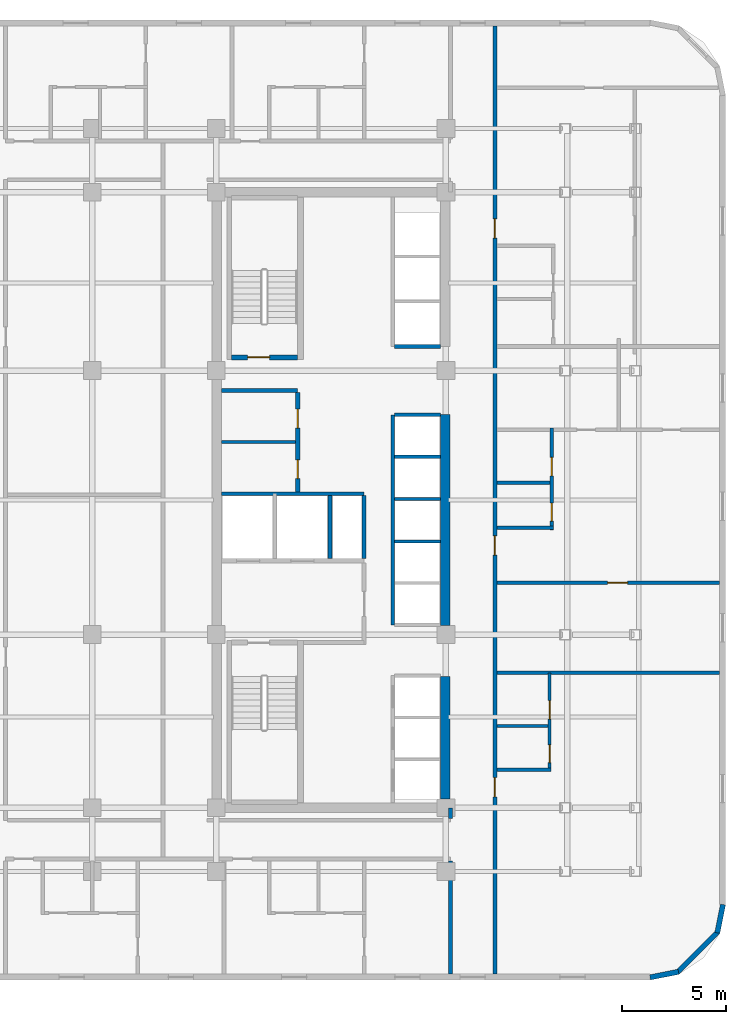
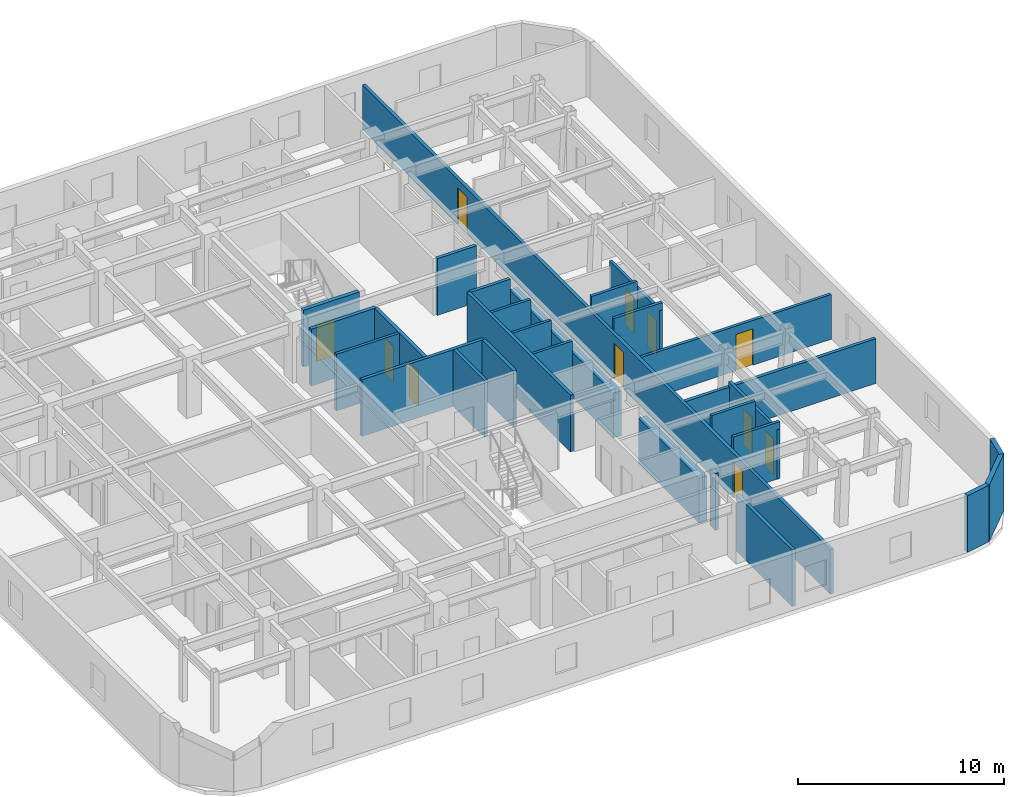
# One storey, part 8 of 12: 29 walls, 11 doors, 11 openings.
"""IFC4 building model written with IfcOpenShell, lengths in metres."""

import ifcopenshell
import ifcopenshell.guid

model = None  # the IFC model being written
_history = None  # IfcOwnerHistory: only IFC2X3 demands one
_inside = {}  # id of a spatial element -> (the spatial element, [elements in it])
_under = {}  # id of a project, library or spatial element -> (it, [spatial elements below it])
_declared = {}  # id of a project -> (the project, [libraries it declares])
_typed = {}  # id of a type object -> (the type object, [elements of that type])
_made_of = {}  # id of a material, layer set ... -> (it, [elements and type objects made of it])


def new_model(schema):
    """Start an empty IFC model of exactly this schema.

    Asked for "IFC4X3", IfcOpenShell would pick the latest addendum, in which some entities
    have other attributes; the version numbers below select the first issue.
    IFC2X3 requires an IfcOwnerHistory on every rooted entity: one is made here for all.
    """
    global model, _history
    if schema == "IFC4X3":
        model = ifcopenshell.file(schema_version=(4, 3, 0, 0))
    else:
        model = ifcopenshell.file(schema=schema)
    _inside.clear()
    _under.clear()
    _declared.clear()
    _typed.clear()
    _made_of.clear()
    _history = None
    if model.schema == "IFC2X3":
        org = make("IfcOrganization", Name="unknown")
        user = make(
            "IfcPersonAndOrganization",
            ThePerson=make("IfcPerson", FamilyName="unknown"),
            TheOrganization=org,
        )
        app = make(
            "IfcApplication",
            ApplicationDeveloper=org,
            Version="unknown",
            ApplicationFullName="unknown",
            ApplicationIdentifier="unknown",
        )
        _history = make(
            "IfcOwnerHistory",
            OwningUser=user,
            OwningApplication=app,
            ChangeAction="ADDED",
            CreationDate=0,
        )
    return model


def make(cls, **values):
    """One entity of the class cls with the attributes given. An attribute that is None is left unset."""
    return model.create_entity(
        cls, **{name: value for name, value in values.items() if value is not None}
    )


def rooted(cls, **values):
    """An entity with a GlobalId (a new one), such as an element, a storey or a relation."""
    return make(cls, GlobalId=ifcopenshell.guid.new(), OwnerHistory=_history, **values)


def si_unit(unit_type, name, prefix=None):
    """IfcSIUnit, for example si_unit("LENGTHUNIT", "METRE", prefix="MILLI")."""
    return make("IfcSIUnit", UnitType=unit_type, Prefix=prefix, Name=name)


def assignment(units):
    """IfcUnitAssignment: the units of a project."""
    return None if units is None else make("IfcUnitAssignment", Units=units)


def point(xyz):
    """IfcCartesianPoint."""
    return None if xyz is None else make("IfcCartesianPoint", Coordinates=xyz)


def direction(xyz):
    """IfcDirection."""
    return None if xyz is None else make("IfcDirection", DirectionRatios=xyz)


def frame(location, z_axis=None, x_axis=None):
    """IfcAxis2Placement3D, a coordinate frame: its origin and axes. An axis left out is left unset."""
    return make(
        "IfcAxis2Placement3D",
        Location=point(location),
        Axis=direction(z_axis),
        RefDirection=direction(x_axis),
    )


def frame_2d(location, x_axis=None):
    """IfcAxis2Placement2D, a coordinate frame in the plane: its origin and x axis."""
    return make(
        "IfcAxis2Placement2D", Location=point(location), RefDirection=direction(x_axis)
    )


def origin():
    """The frame at (0, 0, 0) with its axes left unset."""
    return frame((0.0, 0.0, 0.0))


def place(relative_to, where):
    """IfcLocalPlacement: puts the frame where relative to a parent placement (None: the world)."""
    return make(
        "IfcLocalPlacement", PlacementRelTo=relative_to, RelativePlacement=where
    )


def context(
    kind, dimensions, precision=None, world=None, true_north=None, identifier=None
):
    """IfcGeometricRepresentationContext, for example the 3D "Model" context."""
    return make(
        "IfcGeometricRepresentationContext",
        ContextIdentifier=identifier,
        ContextType=kind,
        CoordinateSpaceDimension=dimensions,
        Precision=precision,
        WorldCoordinateSystem=world,
        TrueNorth=true_north,
    )


def subcontext(parent, identifier, kind, view, scale=None):
    """IfcGeometricRepresentationSubContext, for example "Body" below "Model"."""
    return make(
        "IfcGeometricRepresentationSubContext",
        ContextIdentifier=identifier,
        ContextType=kind,
        ParentContext=parent,
        TargetScale=scale,
        TargetView=view,
    )


def project(units=None, contexts=None):
    """IfcProject with its units and contexts."""
    return rooted(
        "IfcProject",
        Name="project",
        RepresentationContexts=contexts,
        UnitsInContext=assignment(units),
    )


def spatial(cls, under=None, at=None, **own):
    """A site, building, storey or space (cls), placed at a placement, below another one or the project."""
    s = rooted(cls, ObjectPlacement=at, **own)
    if under is not None:
        _under.setdefault(under.id(), (under, []))[1].append(s)
    return s


def profile(cls, at=None, kind="AREA", **sizes):
    """A parametric profile (cls). Its sizes go by their IFC names, for example OverallWidth=200.0."""
    return make(cls, ProfileType=kind, Position=at, **sizes)


def rectangle(**sizes):
    """IfcRectangleProfileDef."""
    return profile("IfcRectangleProfileDef", **sizes)


def extrude(swept, where, along, depth):
    """IfcExtrudedAreaSolid: the profile swept, set in the frame where, extruded along a direction by depth."""
    return make(
        "IfcExtrudedAreaSolid",
        SweptArea=swept,
        Position=where,
        ExtrudedDirection=direction(along),
        Depth=depth,
    )


def shape(context_of_items, identifier, shape_type, items):
    """IfcShapeRepresentation: the items that make up one representation, for example the "Body"."""
    return make(
        "IfcShapeRepresentation",
        ContextOfItems=context_of_items,
        RepresentationIdentifier=identifier,
        RepresentationType=shape_type,
        Items=items,
    )


def material(Name=None, Category=None):
    """IfcMaterial."""
    return make("IfcMaterial", Name=Name, Category=Category)


def layer(
    of_material, thickness, ventilated=None, Name=None, Category=None, Priority=None
):
    """IfcMaterialLayer: one layer of a wall or slab, of a material (None: an air gap)."""
    return make(
        "IfcMaterialLayer",
        Material=of_material,
        LayerThickness=thickness,
        IsVentilated=ventilated,
        Name=Name,
        Category=Category,
        Priority=Priority,
    )


def layer_set(layers, Name=None):
    """IfcMaterialLayerSet."""
    return make("IfcMaterialLayerSet", MaterialLayers=layers, LayerSetName=Name)


def made_of(thing, what):
    """Note that an element or type object is made of a material, layer set ...; save() writes the relation."""
    if what is not None:
        _made_of.setdefault(what.id(), (what, []))[1].append(thing)
    return thing


def type_object(cls, material=None, **own):
    """A type object (cls), such as IfcWallType, which elements share."""
    return made_of(rooted(cls, **own), material)


def element(
    cls,
    number,
    at=None,
    inside=None,
    cuts=None,
    type_object=None,
    material=None,
    context=None,
    identifier="Body",
    shape_type=None,
    held_by="IfcProductDefinitionShape",
    body=None,
    shapes=None,
    **own,
):
    """One element of the class cls, such as IfcWall. Its Tag is "e" and its number.

    at: its placement. inside: the storey or other place that contains it. cuts: it is an
    opening in that element (IfcRelVoidsElement). A single representation is given by context,
    identifier, shape_type and body (its items); several are given by shapes. held_by: the class
    of the entity that holds the representations. save() writes the other relations.
    """
    e = rooted(cls, Tag="e%d" % number, ObjectPlacement=at, **own)
    if body is not None:
        shapes = [shape(context, identifier, shape_type, body)]
    if shapes is not None:
        e.Representation = make(held_by, Representations=shapes)
    if inside is not None:
        _inside.setdefault(inside.id(), (inside, []))[1].append(e)
    if cuts is not None:
        rooted(
            "IfcRelVoidsElement", RelatingBuildingElement=cuts, RelatedOpeningElement=e
        )
    if type_object is not None:
        _typed.setdefault(type_object.id(), (type_object, []))[1].append(e)
    return made_of(e, material)


def fill(opening, filler):
    """IfcRelFillsElement: the door or window that sits in an opening."""
    return rooted(
        "IfcRelFillsElement",
        RelatingOpeningElement=opening,
        RelatedBuildingElement=filler,
    )


def aggregate(whole, parts):
    """IfcRelAggregates: a whole, such as a stair, and the parts it consists of."""
    return rooted("IfcRelAggregates", RelatingObject=whole, RelatedObjects=parts)


def save(model, path):
    """Write the relations noted so far, then the file.

    IfcRelAggregates (storeys below a building ...), IfcRelContainedInSpatialStructure (elements
    in a storey), IfcRelDefinesByType, IfcRelAssociatesMaterial and IfcRelDeclares: one each for
    every whole, place, type object, material and project.
    """
    for whole, parts in _under.values():
        aggregate(whole, parts)
    for where, things in _inside.values():
        rooted(
            "IfcRelContainedInSpatialStructure",
            RelatedElements=things,
            RelatingStructure=where,
        )
    for kind, things in _typed.values():
        rooted("IfcRelDefinesByType", RelatedObjects=things, RelatingType=kind)
    for what, things in _made_of.values():
        rooted("IfcRelAssociatesMaterial", RelatedObjects=things, RelatingMaterial=what)
    for by, libraries in _declared.values():
        rooted("IfcRelDeclares", RelatingContext=by, RelatedDefinitions=libraries)
    model.write(path)


model = new_model("IFC4")

# Units and contexts
model_context = context("Model", 3, precision=1e-05, world=origin(), true_north=direction((0.0, 1.0)))
body_context = subcontext(model_context, "Body", "Model", "MODEL_VIEW")
ifc_project = project(units=[si_unit("LENGTHUNIT", "METRE"), si_unit("AREAUNIT", "SQUARE_METRE"), si_unit("VOLUMEUNIT", "CUBIC_METRE"), si_unit("PLANEANGLEUNIT", "RADIAN"), si_unit("MASSUNIT", "GRAM", prefix="KILO")], contexts=[model_context])

# Site, building, storey
site_placement = place(None, origin())
site = spatial("IfcSite", under=ifc_project, at=site_placement, CompositionType="ELEMENT")
building_placement = place(site_placement, origin())
building = spatial("IfcBuilding", under=site, at=building_placement, Name="Ochreholt Gables", CompositionType="ELEMENT")
storey_placement = place(building_placement, frame((0.0, 0.0, 27.60009765625)))
storey = spatial("IfcBuildingStorey", under=building, at=storey_placement, Name="L06", CompositionType="ELEMENT", Elevation=27.60009765625)

# Walls
ifc_material_1 = material(Name="Concrete 60 MPa", Category="concrete")
ifc_layer_1 = layer(ifc_material_1, 0.449951171875, Name="Concrete 60 MPa")
ifc_layer_set_1 = layer_set([ifc_layer_1], Name="Concrete 60 MPa")
wall_type_1 = type_object("IfcWallType", Name="WALL-CSW-450", PredefinedType="SHEAR", material=ifc_layer_set_1)
wall_1_placement = place(storey_placement, frame((35.175048828125, 9.675048828125, 0.0), z_axis=(0.0, 0.0, 1.0), x_axis=(0.0, 1.0, 0.0)))
element("IfcWall", 1, at=wall_1_placement, inside=storey, type_object=wall_type_1, Name="L06 Core South-East Shear Wall", PredefinedType="SHEAR", context=body_context, shape_type="SweptSolid", body=[
    extrude(rectangle(XDim=5.875, YDim=0.449951171875, at=frame_2d((2.9375, 0.0))), origin(), (0.0, 0.0, 1.0), 2.6669921875),
])
wall_2_placement = place(storey_placement, frame((35.175048828125, 17.97509765625, 0.0), z_axis=(0.0, 0.0, 1.0), x_axis=(0.0, 1.0, 0.0)))
element("IfcWall", 2, at=wall_2_placement, inside=storey, type_object=wall_type_1, Name="L06 Core Central-East Shear Wall", PredefinedType="SHEAR", context=body_context, shape_type="SweptSolid", body=[
    extrude(rectangle(XDim=10.125, YDim=0.449951171875, at=frame_2d((5.0625, 0.0))), origin(), (0.0, 0.0, 1.0), 2.6669921875),
])
ifc_material_2 = material(Name="Precast concrete 40 MPa", Category="concrete")
ifc_layer_2 = layer(ifc_material_2, 0.25, Name="Precast concrete 40 MPa")
ifc_layer_set_2 = layer_set([ifc_layer_2], Name="Precast concrete 40 MPa")
wall_type_2 = type_object("IfcWallType", Name="WALL-EXT-CNR", PredefinedType="SOLIDWALL", material=ifc_layer_set_2)
wall_3_placement = place(storey_placement, frame((44.9833984375, 1.124267578125, 0.0), z_axis=(0.0, 0.0, 1.0), x_axis=(0.980809899341, 0.19496651342, 0.0)))
element("IfcWall", 3, at=wall_3_placement, inside=storey, type_object=wall_type_2, Name="L06 Rounded Corner Wall SE-1", PredefinedType="SOLIDWALL", context=body_context, shape_type="SweptSolid", body=[
    extrude(rectangle(XDim=1.388671875, YDim=0.25, at=frame_2d((0.6943359375, 0.0))), origin(), (0.0, 0.0, 1.0), 3.35986328125),
])
wall_4_placement = place(storey_placement, frame((46.294921875, 1.367919921875, 0.0), z_axis=(0.0, 0.0, 1.0), x_axis=(0.707106781187, 0.707106781187, 0.0)))
element("IfcWall", 4, at=wall_4_placement, inside=storey, type_object=wall_type_2, Name="L06 Rounded Corner Wall SE-2", PredefinedType="SOLIDWALL", context=body_context, shape_type="SweptSolid", body=[
    extrude(rectangle(XDim=2.7392578125, YDim=0.25, at=frame_2d((1.36962890625, 0.0))), origin(), (0.0, 0.0, 1.0), 3.35986328125),
])
wall_5_placement = place(storey_placement, frame((48.205078125, 3.25439453125, 0.0), z_axis=(0.0, 0.0, 1.0), x_axis=(0.19496651342, 0.980809899341, 0.0)))
element("IfcWall", 5, at=wall_5_placement, inside=storey, type_object=wall_type_2, Name="L06 Rounded Corner Wall SE-3", PredefinedType="SOLIDWALL", context=body_context, shape_type="SweptSolid", body=[
    extrude(rectangle(XDim=1.388671875, YDim=0.25, at=frame_2d((0.6943359375, 0.0))), origin(), (0.0, 0.0, 1.0), 3.35986328125),
])
ifc_material_3 = material(Name="Concrete 40 MPa", Category="concrete")
ifc_layer_3 = layer(ifc_material_3, 0.199951171875, Name="Concrete 40 MPa")
ifc_layer_set_3 = layer_set([ifc_layer_3], Name="Concrete 40 MPa")
wall_type_3 = type_object("IfcWallType", Name="WALL-INT-CF200", PredefinedType="STANDARD", material=ifc_layer_set_3)
wall_6_placement = place(storey_placement, frame((24.449951171875, 29.239990234375, 0.0), z_axis=(0.0, 0.0, 1.0), x_axis=(1.0, 0.0, 0.0)))
element("IfcWall", 6, at=wall_6_placement, inside=storey, type_object=wall_type_3, Name="L06 Interior Wall WI-SRVN-L06", PredefinedType="STANDARD", context=body_context, shape_type="SweptSolid", body=[
    extrude(rectangle(XDim=3.650146484375, YDim=0.199951171875, at=frame_2d((1.8251953125, 0.0))), origin(), (0.0, 0.0, 1.0), 3.35986328125),
])

# Wall, openings, doors
wall_7_placement = place(storey_placement, frame((28.10009765625, 24.389892578125, 0.0), z_axis=(0.0, 0.0, 1.0), x_axis=(0.0, 1.0, 0.0)))
wall_7 = element("IfcWall", 7, at=wall_7_placement, inside=storey, type_object=wall_type_3, Name="L06 Interior Wall WI-SRVE-L06", PredefinedType="STANDARD", context=body_context, shape_type="SweptSolid", body=[
    extrude(rectangle(XDim=4.75, YDim=0.199951171875, at=frame_2d((2.375, 0.0))), origin(), (0.0, 0.0, 1.0), 3.35986328125),
])
opening_1_placement = place(wall_7_placement, frame((0.6298828125, 0.0, 0.0)))
opening_1 = element("IfcOpeningElement", 8, at=opening_1_placement, cuts=wall_7, Name="Opening D-SV1", PredefinedType="OPENING", context=body_context, shape_type="SweptSolid", body=[
    extrude(rectangle(XDim=0.89990234375, YDim=2.10009765625, at=frame_2d((0.449951171875, 1.050048828125))), frame((0.0, 0.10986328125, 0.0), z_axis=(0.0, -1.0, 0.0), x_axis=(1.0, 0.0, 0.0)), (0.0, 0.0, 1.0), 0.219970703125),
])
opening_2_placement = place(wall_7_placement, frame((3.06005859375, 0.0, 0.0)))
opening_2 = element("IfcOpeningElement", 9, at=opening_2_placement, cuts=wall_7, Name="Opening D-SV1", PredefinedType="OPENING", context=body_context, shape_type="SweptSolid", body=[
    extrude(rectangle(XDim=0.89990234375, YDim=2.10009765625, at=frame_2d((0.449951171875, 1.050048828125))), frame((0.0, 0.10986328125, 0.0), z_axis=(0.0, -1.0, 0.0), x_axis=(1.0, 0.0, 0.0)), (0.0, 0.0, 1.0), 0.219970703125),
])
ifc_material_4 = material(Name="Hollow Metal Steel", Category="steel")
door_type_1 = type_object("IfcDoorType", Name="DR-INT-SRV900", OperationType="NOTDEFINED", PredefinedType="DOOR", material=ifc_material_4)
door_1_placement = place(opening_1_placement, origin())
door_1 = element("IfcDoor", 10, at=door_1_placement, inside=storey, type_object=door_type_1, Name="L06 Door D-SRV1-L06", OperationType="SINGLE_SWING_LEFT", OverallHeight=2.10009765625, OverallWidth=0.89990234375, PredefinedType="DOOR", context=body_context, shape_type="SweptSolid", body=[
    extrude(rectangle(XDim=0.89990234375, YDim=2.10009765625, at=frame_2d((0.449951171875, 1.050048828125))), frame((0.0, 0.02490234375, 0.0), z_axis=(0.0, -1.0, 0.0), x_axis=(1.0, 0.0, 0.0)), (0.0, 0.0, 1.0), 0.050048828125),
])
fill(opening_1, door_1)
door_2_placement = place(opening_2_placement, origin())
door_2 = element("IfcDoor", 11, at=door_2_placement, inside=storey, type_object=door_type_1, Name="L06 Door D-SRV2-L06", OperationType="SINGLE_SWING_RIGHT", OverallHeight=2.10009765625, OverallWidth=0.89990234375, PredefinedType="DOOR", context=body_context, shape_type="SweptSolid", body=[
    extrude(rectangle(XDim=0.89990234375, YDim=2.10009765625, at=frame_2d((0.449951171875, 1.050048828125))), frame((0.0, 0.02490234375, 0.0), z_axis=(0.0, -1.0, 0.0), x_axis=(1.0, 0.0, 0.0)), (0.0, 0.0, 1.0), 0.050048828125),
])
fill(opening_2, door_2)

ifc_material_5 = material(Name="Fire-Rated Gypsum Acoustic Partition", Category="gypsum")
ifc_layer_4 = layer(ifc_material_5, 0.179931640625, Name="Fire-Rated Gypsum Acoustic Partition")
ifc_layer_set_4 = layer_set([ifc_layer_4], Name="Fire-Rated Gypsum Acoustic Partition")
wall_type_4 = type_object("IfcWallType", Name="WALL-INT-CR180", PredefinedType="STANDARD", material=ifc_layer_set_4)
wall_8_placement = place(storey_placement, frame((37.550048828125, 1.2900390625, 0.0), z_axis=(0.0, 0.0, 1.0), x_axis=(0.0, 1.0, 0.0)))
wall_8 = element("IfcWall", 12, at=wall_8_placement, inside=storey, type_object=wall_type_4, Name="L06 Interior Wall WI-C1E-L06", PredefinedType="STANDARD", context=body_context, shape_type="SweptSolid", body=[
    extrude(rectangle(XDim=45.419921875, YDim=0.179931640625, at=frame_2d((22.7099609375, 0.0))), origin(), (0.0, 0.0, 1.0), 2.64892578125),
])
opening_3_placement = place(wall_8_placement, frame((8.489990234375, 0.0, 0.0)))
opening_3 = element("IfcOpeningElement", 13, at=opening_3_placement, cuts=wall_8, Name="Opening D-UN1", PredefinedType="OPENING", context=body_context, shape_type="SweptSolid", body=[
    extrude(rectangle(XDim=0.919921875, YDim=2.14990234375, at=frame_2d((0.4599609375, 1.074951171875))), frame((0.0, 0.099853515625, 0.0), z_axis=(0.0, -1.0, 0.0), x_axis=(1.0, 0.0, 0.0)), (0.0, 0.0, 1.0), 0.199951171875),
])
opening_4_placement = place(wall_8_placement, frame((20.072998046875, 0.0, 0.0)))
opening_4 = element("IfcOpeningElement", 14, at=opening_4_placement, cuts=wall_8, Name="Opening D-UN1", PredefinedType="OPENING", context=body_context, shape_type="SweptSolid", body=[
    extrude(rectangle(XDim=0.919921875, YDim=2.14990234375, at=frame_2d((0.4599609375, 1.074951171875))), frame((0.0, 0.099853515625, 0.0), z_axis=(0.0, -1.0, 0.0), x_axis=(1.0, 0.0, 0.0)), (0.0, 0.0, 1.0), 0.199951171875),
])
opening_5_placement = place(wall_8_placement, frame((35.255615234375, 0.0, 0.0)))
opening_5 = element("IfcOpeningElement", 15, at=opening_5_placement, cuts=wall_8, Name="Opening D-UN1", PredefinedType="OPENING", context=body_context, shape_type="SweptSolid", body=[
    extrude(rectangle(XDim=0.919921875, YDim=2.14990234375, at=frame_2d((0.4599609375, 1.074951171875))), frame((0.0, 0.099853515625, 0.0), z_axis=(0.0, -1.0, 0.0), x_axis=(1.0, 0.0, 0.0)), (0.0, 0.0, 1.0), 0.199951171875),
])
ifc_material_6 = material(Name="Engineered Oak Timber", Category="wood")
door_type_2 = type_object("IfcDoorType", Name="DR-INT-UNT920", OperationType="NOTDEFINED", PredefinedType="DOOR", material=ifc_material_6)
door_3_placement = place(opening_3_placement, origin())
door_3 = element("IfcDoor", 16, at=door_3_placement, inside=storey, type_object=door_type_2, Name="L06 Door D-U-L06E1-ENT", OperationType="SINGLE_SWING_RIGHT", OverallHeight=2.14990234375, OverallWidth=0.919921875, PredefinedType="DOOR", context=body_context, shape_type="SweptSolid", body=[
    extrude(rectangle(XDim=0.919921875, YDim=2.14990234375, at=frame_2d((0.4599609375, 1.074951171875))), frame((0.0, 0.02490234375, 0.0), z_axis=(0.0, -1.0, 0.0), x_axis=(1.0, 0.0, 0.0)), (0.0, 0.0, 1.0), 0.050048828125),
])
fill(opening_3, door_3)
door_4_placement = place(opening_4_placement, origin())
door_4 = element("IfcDoor", 17, at=door_4_placement, inside=storey, type_object=door_type_2, Name="L06 Door D-U-L06E2-ENT", OperationType="SINGLE_SWING_LEFT", OverallHeight=2.14990234375, OverallWidth=0.919921875, PredefinedType="DOOR", context=body_context, shape_type="SweptSolid", body=[
    extrude(rectangle(XDim=0.919921875, YDim=2.14990234375, at=frame_2d((0.4599609375, 1.074951171875))), frame((0.0, 0.02490234375, 0.0), z_axis=(0.0, -1.0, 0.0), x_axis=(1.0, 0.0, 0.0)), (0.0, 0.0, 1.0), 0.050048828125),
])
fill(opening_4, door_4)
door_5_placement = place(opening_5_placement, origin())
door_5 = element("IfcDoor", 18, at=door_5_placement, inside=storey, type_object=door_type_2, Name="L06 Door D-U-L06E3-ENT", OperationType="SINGLE_SWING_RIGHT", OverallHeight=2.14990234375, OverallWidth=0.919921875, PredefinedType="DOOR", context=body_context, shape_type="SweptSolid", body=[
    extrude(rectangle(XDim=0.919921875, YDim=2.14990234375, at=frame_2d((0.4599609375, 1.074951171875))), frame((0.0, 0.02490234375, 0.0), z_axis=(0.0, -1.0, 0.0), x_axis=(1.0, 0.0, 0.0)), (0.0, 0.0, 1.0), 0.050048828125),
])
fill(opening_5, door_5)

# Walls
wall_9_placement = place(storey_placement, frame((35.419921875, 8.739990234375, 0.0), z_axis=(0.0, 0.0, 1.0), x_axis=(0.0, 1.0, 0.0)))
element("IfcWall", 19, at=wall_9_placement, inside=storey, type_object=wall_type_4, Name="L06 Interior Wall WI-C1ESW2-L06", PredefinedType="STANDARD", context=body_context, shape_type="SweptSolid", body=[
    extrude(rectangle(XDim=0.510009765625, YDim=0.179931640625, at=frame_2d((0.2548828125, 0.0))), origin(), (0.0, 0.0, 1.0), 3.35986328125),
])
ifc_material_7 = material(Name="Double-Stud Acoustic Demising Wall", Category="gypsum")
ifc_layer_5 = layer(ifc_material_7, 0.179931640625, Name="Double-Stud Acoustic Demising Wall")
ifc_layer_set_5 = layer_set([ifc_layer_5], Name="Double-Stud Acoustic Demising Wall")
wall_type_5 = type_object("IfcWallType", Name="WALL-INT-DM180", PredefinedType="PARTITIONING", material=ifc_layer_set_5)
wall_10_placement = place(storey_placement, frame((35.419921875, 1.2900390625, 0.0), z_axis=(0.0, 0.0, 1.0), x_axis=(0.0, 1.0, 0.0)))
element("IfcWall", 20, at=wall_10_placement, inside=storey, type_object=wall_type_5, Name="L06 Interior Wall WI-C1ESW-L06", PredefinedType="PARTITIONING", context=body_context, shape_type="SweptSolid", body=[
    extrude(rectangle(XDim=5.419921875, YDim=0.179931640625, at=frame_2d((2.7099609375, 0.0))), origin(), (0.0, 0.0, 1.0), 3.35986328125),
])
wall_11_placement = place(storey_placement, frame((37.639892578125, 15.719970703125, 0.0), z_axis=(0.0, 0.0, 1.0), x_axis=(1.0, 0.0, 0.0)))
element("IfcWall", 21, at=wall_11_placement, inside=storey, type_object=wall_type_5, Name="L06 Interior Wall WI-UDE2-L06", PredefinedType="PARTITIONING", context=body_context, shape_type="SweptSolid", body=[
    extrude(rectangle(XDim=10.670166015625, YDim=0.179931640625, at=frame_2d((5.3349609375, 0.0))), origin(), (0.0, 0.0, 1.0), 2.64892578125),
])
ifc_material_8 = material(Name="Moisture-Resistant Plumbing Chase Wall", Category="gypsum")
ifc_layer_6 = layer(ifc_material_8, 0.159912109375, Name="Moisture-Resistant Plumbing Chase Wall")
ifc_layer_set_6 = layer_set([ifc_layer_6], Name="Moisture-Resistant Plumbing Chase Wall")
wall_type_6 = type_object("IfcWallType", Name="WALL-INT-PL160", PredefinedType="PLUMBINGWALL", material=ifc_layer_set_6)
wall_12_placement = place(storey_placement, frame((37.639892578125, 11.080078125, 0.0), z_axis=(0.0, 0.0, 1.0), x_axis=(1.0, 0.0, 0.0)))
element("IfcWall", 22, at=wall_12_placement, inside=storey, type_object=wall_type_6, Name="L06 Interior Wall WU-L06E1-WYS", PredefinedType="PLUMBINGWALL", context=body_context, shape_type="SweptSolid", body=[
    extrude(rectangle(XDim=2.606201171875, YDim=0.159912109375, at=frame_2d((1.30322265625, 0.0))), origin(), (0.0, 0.0, 1.0), 3.35986328125),
])

# Wall, openings, doors
wall_13_placement = place(storey_placement, frame((40.166015625, 10.989990234375, 0.0), z_axis=(0.0, 0.0, 1.0), x_axis=(0.0, 1.0, 0.0)))
wall_13 = element("IfcWall", 23, at=wall_13_placement, inside=storey, type_object=wall_type_6, Name="L06 Interior Wall WU-L06E1-WX", PredefinedType="PLUMBINGWALL", context=body_context, shape_type="SweptSolid", body=[
    extrude(rectangle(XDim=4.72998046875, YDim=0.159912109375, at=frame_2d((2.364990234375, 0.0))), origin(), (0.0, 0.0, 1.0), 2.931884765625),
])
opening_6_placement = place(wall_13_placement, frame((0.419921875, 0.0, 0.0)))
opening_6 = element("IfcOpeningElement", 24, at=opening_6_placement, cuts=wall_13, Name="Opening D-BT1", PredefinedType="OPENING", context=body_context, shape_type="SweptSolid", body=[
    extrude(rectangle(XDim=0.860107421875, YDim=2.1201171875, at=frame_2d((0.43017578125, 1.06005859375))), frame((0.0, 0.08984375, 0.0), z_axis=(0.0, -1.0, 0.0), x_axis=(1.0, 0.0, 0.0)), (0.0, 0.0, 1.0), 0.179931640625),
])
opening_7_placement = place(wall_13_placement, frame((2.512939453125, 0.0, 0.0)))
opening_7 = element("IfcOpeningElement", 25, at=opening_7_placement, cuts=wall_13, Name="Opening D-GN2", PredefinedType="OPENING", context=body_context, shape_type="SweptSolid", body=[
    extrude(rectangle(XDim=0.8798828125, YDim=2.1201171875, at=frame_2d((0.43994140625, 1.06005859375))), frame((0.0, 0.08984375, 0.0), z_axis=(0.0, -1.0, 0.0), x_axis=(1.0, 0.0, 0.0)), (0.0, 0.0, 1.0), 0.179931640625),
])
door_type_3 = type_object("IfcDoorType", Name="DR-INT-BTH860", OperationType="NOTDEFINED", PredefinedType="DOOR", material=ifc_material_6)
door_6_placement = place(opening_6_placement, origin())
door_6 = element("IfcDoor", 26, at=door_6_placement, inside=storey, type_object=door_type_3, Name="L06 Door D-U-L06E1-BTH", OperationType="SINGLE_SWING_LEFT", OverallHeight=2.1201171875, OverallWidth=0.860107421875, PredefinedType="DOOR", context=body_context, shape_type="SweptSolid", body=[
    extrude(rectangle(XDim=0.860107421875, YDim=2.1201171875, at=frame_2d((0.43017578125, 1.06005859375))), frame((0.0, 0.02490234375, 0.0), z_axis=(0.0, -1.0, 0.0), x_axis=(1.0, 0.0, 0.0)), (0.0, 0.0, 1.0), 0.050048828125),
])
fill(opening_6, door_6)
door_type_4 = type_object("IfcDoorType", Name="DR-INT-GEN880", OperationType="NOTDEFINED", PredefinedType="DOOR", material=ifc_material_6)
door_7_placement = place(opening_7_placement, origin())
door_7 = element("IfcDoor", 27, at=door_7_placement, inside=storey, type_object=door_type_4, Name="L06 Door D-U-L06E1-KIT", OperationType="SINGLE_SWING_RIGHT", OverallHeight=2.1201171875, OverallWidth=0.8798828125, PredefinedType="DOOR", context=body_context, shape_type="SweptSolid", body=[
    extrude(rectangle(XDim=0.8798828125, YDim=2.1201171875, at=frame_2d((0.43994140625, 1.06005859375))), frame((0.0, 0.02490234375, 0.0), z_axis=(0.0, -1.0, 0.0), x_axis=(1.0, 0.0, 0.0)), (0.0, 0.0, 1.0), 0.050048828125),
])
fill(opening_7, door_7)

# Walls
wall_14_placement = place(storey_placement, frame((37.639892578125, 13.173095703125, 0.0), z_axis=(0.0, 0.0, 1.0), x_axis=(1.0, 0.0, 0.0)))
element("IfcWall", 28, at=wall_14_placement, inside=storey, type_object=wall_type_6, Name="L06 Interior Wall WU-L06E1-WM", PredefinedType="PLUMBINGWALL", context=body_context, shape_type="SweptSolid", body=[
    extrude(rectangle(XDim=2.446044921875, YDim=0.159912109375, at=frame_2d((1.22314453125, 0.0))), origin(), (0.0, 0.0, 1.0), 3.35986328125),
])
wall_15_placement = place(storey_placement, frame((37.639892578125, 22.6630859375, 0.0), z_axis=(0.0, 0.0, 1.0), x_axis=(1.0, 0.0, 0.0)))
element("IfcWall", 29, at=wall_15_placement, inside=storey, type_object=wall_type_6, Name="L06 Interior Wall WU-L06E2-FYS", PredefinedType="PLUMBINGWALL", context=body_context, shape_type="SweptSolid", body=[
    extrude(rectangle(XDim=2.712158203125, YDim=0.159912109375, at=frame_2d((1.35595703125, 0.0))), origin(), (0.0, 0.0, 1.0), 3.35986328125),
])

# Wall, openings, doors
wall_16_placement = place(storey_placement, frame((40.27197265625, 22.572998046875, 0.0), z_axis=(0.0, 0.0, 1.0), x_axis=(0.0, 1.0, 0.0)))
wall_16 = element("IfcWall", 30, at=wall_16_placement, inside=storey, type_object=wall_type_6, Name="L06 Interior Wall WU-L06E2-WX", PredefinedType="PLUMBINGWALL", context=body_context, shape_type="SweptSolid", body=[
    extrude(rectangle(XDim=4.886962890625, YDim=0.159912109375, at=frame_2d((2.443359375, 0.0))), origin(), (0.0, 0.0, 1.0), 2.931884765625),
])
opening_8_placement = place(wall_16_placement, frame((0.419921875, 0.0, 0.0)))
opening_8 = element("IfcOpeningElement", 31, at=opening_8_placement, cuts=wall_16, Name="Opening D-BT1", PredefinedType="OPENING", context=body_context, shape_type="SweptSolid", body=[
    extrude(rectangle(XDim=0.860107421875, YDim=2.1201171875, at=frame_2d((0.43017578125, 1.06005859375))), frame((0.0, 0.08984375, 0.0), z_axis=(0.0, -1.0, 0.0), x_axis=(1.0, 0.0, 0.0)), (0.0, 0.0, 1.0), 0.179931640625),
])
opening_9_placement = place(wall_16_placement, frame((2.585205078125, 0.0, 0.0)))
opening_9 = element("IfcOpeningElement", 32, at=opening_9_placement, cuts=wall_16, Name="Opening D-GN2", PredefinedType="OPENING", context=body_context, shape_type="SweptSolid", body=[
    extrude(rectangle(XDim=0.8798828125, YDim=2.1201171875, at=frame_2d((0.43994140625, 1.06005859375))), frame((0.0, 0.08984375, 0.0), z_axis=(0.0, -1.0, 0.0), x_axis=(1.0, 0.0, 0.0)), (0.0, 0.0, 1.0), 0.179931640625),
])
door_8_placement = place(opening_8_placement, origin())
door_8 = element("IfcDoor", 33, at=door_8_placement, inside=storey, type_object=door_type_3, Name="L06 Door D-U-L06E2-BTH", OperationType="SINGLE_SWING_RIGHT", OverallHeight=2.1201171875, OverallWidth=0.860107421875, PredefinedType="DOOR", context=body_context, shape_type="SweptSolid", body=[
    extrude(rectangle(XDim=0.860107421875, YDim=2.1201171875, at=frame_2d((0.43017578125, 1.06005859375))), frame((0.0, 0.02490234375, 0.0), z_axis=(0.0, -1.0, 0.0), x_axis=(1.0, 0.0, 0.0)), (0.0, 0.0, 1.0), 0.050048828125),
])
fill(opening_8, door_8)
door_9_placement = place(opening_9_placement, origin())
door_9 = element("IfcDoor", 34, at=door_9_placement, inside=storey, type_object=door_type_4, Name="L06 Door D-U-L06E2-KIT", OperationType="SINGLE_SWING_LEFT", OverallHeight=2.1201171875, OverallWidth=0.8798828125, PredefinedType="DOOR", context=body_context, shape_type="SweptSolid", body=[
    extrude(rectangle(XDim=0.8798828125, YDim=2.1201171875, at=frame_2d((0.43994140625, 1.06005859375))), frame((0.0, 0.02490234375, 0.0), z_axis=(0.0, -1.0, 0.0), x_axis=(1.0, 0.0, 0.0)), (0.0, 0.0, 1.0), 0.050048828125),
])
fill(opening_9, door_9)

# Walls
wall_17_placement = place(storey_placement, frame((37.639892578125, 24.828125, 0.0), z_axis=(0.0, 0.0, 1.0), x_axis=(1.0, 0.0, 0.0)))
element("IfcWall", 35, at=wall_17_placement, inside=storey, type_object=wall_type_6, Name="L06 Interior Wall WU-L06E2-WK", PredefinedType="PLUMBINGWALL", context=body_context, shape_type="SweptSolid", body=[
    extrude(rectangle(XDim=2.552001953125, YDim=0.159912109375, at=frame_2d((1.27587890625, 0.0))), origin(), (0.0, 0.0, 1.0), 3.35986328125),
])
ifc_material_9 = material(Name="Gypsum Acoustic Stud Partition", Category="gypsum")
ifc_layer_7 = layer(ifc_material_9, 0.159912109375, Name="Gypsum Acoustic Stud Partition")
ifc_layer_set_7 = layer_set([ifc_layer_7], Name="Gypsum Acoustic Stud Partition")
wall_type_7 = type_object("IfcWallType", Name="WALL-INT-PT160", PredefinedType="PARTITIONING", material=ifc_layer_set_7)
wall_18_placement = place(storey_placement, frame((24.449951171875, 26.780029296875, 0.0), z_axis=(0.0, 0.0, 1.0), x_axis=(1.0, 0.0, 0.0)))
element("IfcWall", 36, at=wall_18_placement, inside=storey, type_object=wall_type_7, Name="L06 Interior Wall WI-SRVP1-L06", PredefinedType="PARTITIONING", context=body_context, shape_type="SweptSolid", body=[
    extrude(rectangle(XDim=3.550048828125, YDim=0.159912109375, at=frame_2d((1.77490234375, 0.0))), origin(), (0.0, 0.0, 1.0), 3.35986328125),
])

# Wall, opening, door
wall_19_placement = place(storey_placement, frame((37.639892578125, 20.028564453125, 0.0), z_axis=(0.0, 0.0, 1.0), x_axis=(1.0, 0.0, 0.0)))
wall_19 = element("IfcWall", 37, at=wall_19_placement, inside=storey, type_object=wall_type_7, Name="L06 Interior Wall WU-L06E2-DNW", PredefinedType="PARTITIONING", context=body_context, shape_type="SweptSolid", body=[
    extrude(rectangle(XDim=10.670166015625, YDim=0.159912109375, at=frame_2d((5.3349609375, 0.0))), origin(), (0.0, 0.0, 1.0), 2.64892578125),
])
opening_10_placement = place(wall_19_placement, frame((5.31494140625, 0.0, 0.0)))
opening_10 = element("IfcOpeningElement", 38, at=opening_10_placement, cuts=wall_19, Name="Opening D-GN1", PredefinedType="OPENING", context=body_context, shape_type="SweptSolid", body=[
    extrude(rectangle(XDim=0.949951171875, YDim=2.14990234375, at=frame_2d((0.47509765625, 1.074951171875))), frame((0.0, 0.08984375, 0.0), z_axis=(0.0, -1.0, 0.0), x_axis=(1.0, 0.0, 0.0)), (0.0, 0.0, 1.0), 0.179931640625),
])
door_type_5 = type_object("IfcDoorType", Name="DR-INT-GEN950", OperationType="NOTDEFINED", PredefinedType="DOOR", material=ifc_material_6)
door_10_placement = place(opening_10_placement, origin())
door_10 = element("IfcDoor", 39, at=door_10_placement, inside=storey, type_object=door_type_5, Name="L06 Door D-U-L06E2-DIN", OperationType="SINGLE_SWING_RIGHT", OverallHeight=2.14990234375, OverallWidth=0.949951171875, PredefinedType="DOOR", context=body_context, shape_type="SweptSolid", body=[
    extrude(rectangle(XDim=0.949951171875, YDim=2.14990234375, at=frame_2d((0.47509765625, 1.074951171875))), frame((0.0, 0.02490234375, 0.0), z_axis=(0.0, -1.0, 0.0), x_axis=(1.0, 0.0, 0.0)), (0.0, 0.0, 1.0), 0.050048828125),
])
fill(opening_10, door_10)

# Walls
ifc_material_10 = material(Name="Gypsum Shaftliner and Steel Stud", Category="steel")
ifc_layer_8 = layer(ifc_material_10, 0.14990234375, Name="Gypsum Shaftliner and Steel Stud")
ifc_layer_set_8 = layer_set([ifc_layer_8], Name="Gypsum Shaftliner and Steel Stud")
wall_type_8 = type_object("IfcWallType", Name="WALL-INT-SH150", PredefinedType="STANDARD", material=ifc_layer_set_8)
for number, where, z_axis, x_axis, name in (
    (40, (32.739990234375, 22.02001953125, 0.0), (0.0, 0.0, 1.0), (1.0, 0.0, 0.0), "L06 Interior Wall WI-LFHE-DH2-L06"),
    (41, (32.739990234375, 24.050048828125, 0.0), (0.0, 0.0, 1.0), (1.0, 0.0, 0.0), "L06 Interior Wall WI-LFHE-DHE-L06"),
    (42, (32.739990234375, 26.070068359375, 0.0), (0.0, 0.0, 1.0), (1.0, 0.0, 0.0), "L06 Interior Wall WI-LFHE-DEX1-L06"),
):
    element("IfcWall", number, at=place(storey_placement, frame(where, z_axis=z_axis, x_axis=x_axis)), inside=storey, type_object=wall_type_8, Name=name, PredefinedType="STANDARD", context=body_context, shape_type="SweptSolid", body=[
        extrude(rectangle(XDim=2.2099609375, YDim=0.14990234375, at=frame_2d((1.10498046875, 0.0))), origin(), (0.0, 0.0, 1.0), 3.35986328125),
    ])
ifc_layer_9 = layer(ifc_material_10, 0.179931640625, Name="Gypsum Shaftliner and Steel Stud")
ifc_layer_set_9 = layer_set([ifc_layer_9], Name="Gypsum Shaftliner and Steel Stud")
wall_type_9 = type_object("IfcWallType", Name="WALL-INT-SH180", PredefinedType="STANDARD", material=ifc_layer_set_9)
wall_20_placement = place(storey_placement, frame((24.449951171875, 24.300048828125, 0.0), z_axis=(0.0, 0.0, 1.0), x_axis=(1.0, 0.0, 0.0)))
element("IfcWall", 43, at=wall_20_placement, inside=storey, type_object=wall_type_9, Name="L06 Interior Wall WI-FFBK-L06", PredefinedType="STANDARD", context=body_context, shape_type="SweptSolid", body=[
    extrude(rectangle(XDim=6.830078125, YDim=0.179931640625, at=frame_2d((3.4150390625, 0.0))), origin(), (0.0, 0.0, 1.0), 3.35986328125),
])
for number, where, z_axis, x_axis, name in (
    (44, (29.64990234375, 21.18994140625, 0.0), (0.0, 0.0, 1.0), (0.0, 1.0, 0.0), "L06 Interior Wall WI-FFSH-L06"),
    (45, (31.280029296875, 21.18994140625, 0.0), (0.0, 0.0, 1.0), (0.0, 1.0, 0.0), "L06 Interior Wall WI-RSE-L06"),
):
    element("IfcWall", number, at=place(storey_placement, frame(where, z_axis=z_axis, x_axis=x_axis)), inside=storey, type_object=wall_type_9, Name=name, PredefinedType="STANDARD", context=body_context, shape_type="SweptSolid", body=[
        extrude(rectangle(XDim=3.02001953125, YDim=0.179931640625, at=frame_2d((1.510009765625, 0.0))), origin(), (0.0, 0.0, 1.0), 3.35986328125),
    ])
wall_21_placement = place(storey_placement, frame((32.64990234375, 18.02001953125, 0.0), z_axis=(0.0, 0.0, 1.0), x_axis=(0.0, 1.0, 0.0)))
element("IfcWall", 46, at=wall_21_placement, inside=storey, type_object=wall_type_9, Name="L06 Interior Wall WI-LFHE-FR-L06", PredefinedType="STANDARD", context=body_context, shape_type="SweptSolid", body=[
    extrude(rectangle(XDim=10.06005859375, YDim=0.179931640625, at=frame_2d((5.030029296875, 0.0))), origin(), (0.0, 0.0, 1.0), 3.35986328125),
])
for number, where, z_axis, x_axis, name in (
    (47, (32.739990234375, 28.080078125, 0.0), (0.0, 0.0, 1.0), (1.0, 0.0, 0.0), "L06 Interior Wall WI-LFHE-N-L06"),
    (48, (32.739990234375, 31.35009765625, 0.0), (0.0, 0.0, 1.0), (1.0, 0.0, 0.0), "L06 Interior Wall WI-LFM-S-L06"),
):
    element("IfcWall", number, at=place(storey_placement, frame(where, z_axis=z_axis, x_axis=x_axis)), inside=storey, type_object=wall_type_9, Name=name, PredefinedType="STANDARD", context=body_context, shape_type="SweptSolid", body=[
        extrude(rectangle(XDim=2.2099609375, YDim=0.179931640625, at=frame_2d((1.10498046875, 0.0))), origin(), (0.0, 0.0, 1.0), 3.35986328125),
    ])

# Wall, opening, door
ifc_material_11 = material(Name="Concrete 50 MPa", Category="concrete")
ifc_layer_10 = layer(ifc_material_11, 0.219970703125, Name="Concrete 50 MPa")
ifc_layer_set_10 = layer_set([ifc_layer_10], Name="Concrete 50 MPa")
wall_type_10 = type_object("IfcWallType", Name="WALL-STW-220", PredefinedType="SHEAR", material=ifc_layer_set_10)
wall_22_placement = place(storey_placement, frame((24.919921875, 30.830078125, 0.0), z_axis=(0.0, 0.0, 1.0), x_axis=(1.0, 0.0, 0.0)))
wall_22 = element("IfcWall", 49, at=wall_22_placement, inside=storey, type_object=wall_type_10, Name="L06 Exit Stair 2 South Wall", PredefinedType="SHEAR", context=body_context, shape_type="SweptSolid", body=[
    extrude(rectangle(XDim=3.16015625, YDim=0.219970703125, at=frame_2d((1.580078125, 0.0))), origin(), (0.0, 0.0, 1.0), 3.35986328125),
])
opening_11_placement = place(wall_22_placement, frame((0.780029296875, 0.0, 0.0)))
opening_11 = element("IfcOpeningElement", 50, at=opening_11_placement, cuts=wall_22, Name="Opening D-STC", PredefinedType="OPENING", context=body_context, shape_type="SweptSolid", body=[
    extrude(rectangle(XDim=1.050048828125, YDim=2.14990234375, at=frame_2d((0.52490234375, 1.074951171875))), frame((0.0, 0.119873046875, 0.0), z_axis=(0.0, -1.0, 0.0), x_axis=(1.0, 0.0, 0.0)), (0.0, 0.0, 1.0), 0.239990234375),
])
door_type_6 = type_object("IfcDoorType", Name="DR-INT-ST1050", OperationType="NOTDEFINED", PredefinedType="DOOR", material=ifc_material_4)
door_11_placement = place(opening_11_placement, origin())
door_11 = element("IfcDoor", 51, at=door_11_placement, inside=storey, type_object=door_type_6, Name="L06 Door D-ST2-L06", OperationType="SINGLE_SWING_RIGHT", OverallHeight=2.14990234375, OverallWidth=1.050048828125, PredefinedType="DOOR", context=body_context, shape_type="SweptSolid", body=[
    extrude(rectangle(XDim=1.050048828125, YDim=2.14990234375, at=frame_2d((0.52490234375, 1.074951171875))), frame((0.0, 0.02490234375, 0.0), z_axis=(0.0, -1.0, 0.0), x_axis=(1.0, 0.0, 0.0)), (0.0, 0.0, 1.0), 0.050048828125),
])
fill(opening_11, door_11)

save(model, "model.ifc")
